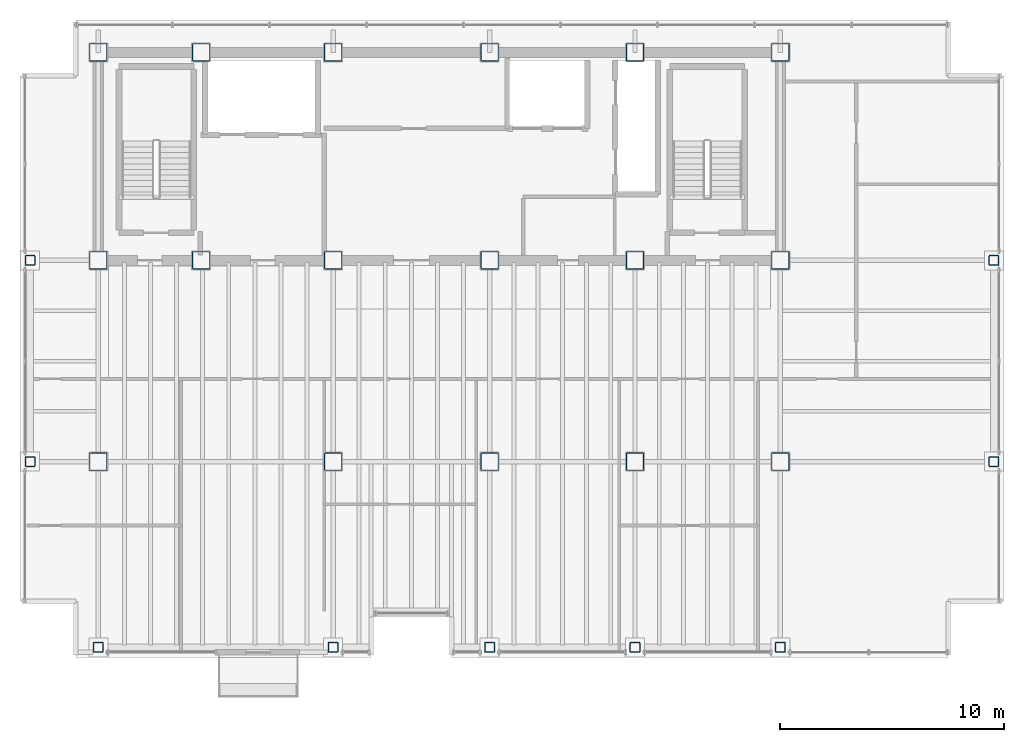
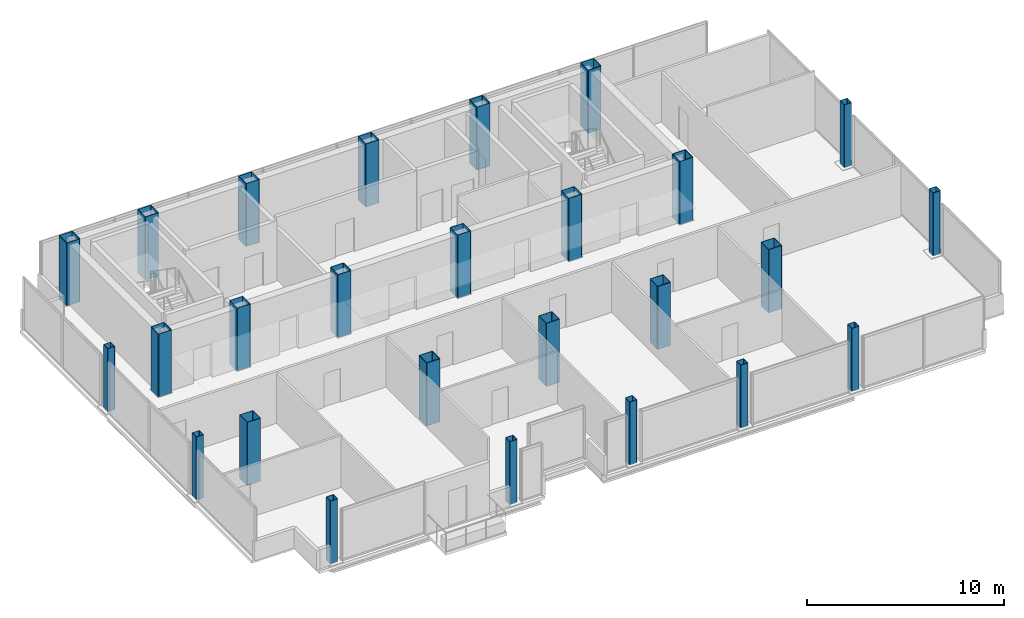
# One storey, part 1 of 15: 26 columns.
"""IFC4 building model written with IfcOpenShell, lengths in metres."""

from ifc_helpers import new_model, si_unit, direction, frame, origin, origin_2d, place, context, subcontext, project, spatial, hollow_rectangle, extrude, material, material_profile, profile_set, type_object, element, save


model = new_model("IFC4")

# Units and contexts
model_context = context("Model", 3, precision=1e-05, world=origin(), true_north=direction((0.0, 1.0)))
body_context = subcontext(model_context, "Body", "Model", "MODEL_VIEW")
ifc_project = project(units=[si_unit("LENGTHUNIT", "METRE"), si_unit("AREAUNIT", "SQUARE_METRE"), si_unit("VOLUMEUNIT", "CUBIC_METRE"), si_unit("PLANEANGLEUNIT", "RADIAN"), si_unit("MASSUNIT", "GRAM", prefix="KILO")], contexts=[model_context])

# Site, building, storey
site_placement = place(None, origin())
site = spatial("IfcSite", under=ifc_project, at=site_placement, CompositionType="ELEMENT")
building_placement = place(site_placement, origin())
building = spatial("IfcBuilding", under=site, at=building_placement, Name="Noeulbin Bourse Tower", CompositionType="ELEMENT")
storey_placement = place(building_placement, frame((0.0, 0.0, 218.89990234375)))
storey = spatial("IfcBuildingStorey", under=building, at=storey_placement, Name="L54", CompositionType="ELEMENT", Elevation=218.89990234375)

# Columns
ifc_material = material(Name="Steel S355", Category="steel")
ifc_material_profile_1 = material_profile(ifc_material, hollow_rectangle(XDim=0.449951171875, YDim=0.449951171875, WallThickness=0.02197265625, InnerFilletRadius=0.02197265625, OuterFilletRadius=0.0439453125, at=origin_2d()), Name="SHS-450x450x22", Category="LoadBearing")
ifc_profile_set_1 = profile_set([ifc_material_profile_1], Name="Steel S355")
column_type_1 = type_object("IfcColumnType", Name="COL-PER-Z3", PredefinedType="COLUMN", material=ifc_profile_set_1)
for number, where, z_axis, x_axis, name in (
    (1, (10.449951171875, 20.0, 0.0), (0.0, 0.0, 1.0), (1.0, 0.0, 0.0), "Tower Perimeter Column COL-PER-Z3 01"),
    (2, (10.449951171875, 29.0, 0.0), (0.0, 0.0, 1.0), (1.0, 0.0, 0.0), "Tower Perimeter Column COL-PER-Z3 02"),
    (3, (13.5, 11.699951171875, 0.0), (0.0, 0.0, 1.0), (1.0, 0.0, 0.0), "Tower Perimeter Column COL-PER-Z3 03"),
    (4, (24.0, 11.699951171875, 0.0), (0.0, 0.0, 1.0), (1.0, 0.0, 0.0), "Tower Perimeter Column COL-PER-Z3 04"),
    (5, (31.0, 11.699951171875, 0.0), (0.0, 0.0, 1.0), (1.0, 0.0, 0.0), "Tower Perimeter Column COL-PER-Z3 05"),
    (6, (37.5, 11.699951171875, 0.0), (0.0, 0.0, 1.0), (1.0, 0.0, 0.0), "Tower Perimeter Column COL-PER-Z3 06"),
    (7, (44.0, 11.699951171875, 0.0), (0.0, 0.0, 1.0), (1.0, 0.0, 0.0), "Tower Perimeter Column COL-PER-Z3 07"),
    (8, (53.550048828125, 20.0, 0.0), (0.0, 0.0, 1.0), (1.0, 0.0, 0.0), "Tower Perimeter Column COL-PER-Z3 08"),
    (9, (53.550048828125, 29.0, 0.0), (0.0, 0.0, 1.0), (1.0, 0.0, 0.0), "Tower Perimeter Column COL-PER-Z3 09"),
):
    element("IfcColumn", number, at=place(storey_placement, frame(where, z_axis=z_axis, x_axis=x_axis)), inside=storey, type_object=column_type_1, Name=name, PredefinedType="COLUMN", context=body_context, shape_type="SweptSolid", body=[
        extrude(hollow_rectangle(XDim=0.449951171875, YDim=0.449951171875, WallThickness=0.02197265625, InnerFilletRadius=0.02197265625, OuterFilletRadius=0.0439453125, at=origin_2d()), origin(), (0.0, 0.0, 1.0), 3.900146484375),
    ])
ifc_material_profile_2 = material_profile(ifc_material, hollow_rectangle(XDim=0.800048828125, YDim=0.800048828125, WallThickness=0.031982421875, InnerFilletRadius=0.01611328125, OuterFilletRadius=0.048095703125, at=origin_2d()), Name="BOX-800x800x32", Category="LoadBearing")
ifc_profile_set_2 = profile_set([ifc_material_profile_2], Name="Steel S355")
column_type_2 = type_object("IfcColumnType", Name="COL-TRK-Z3", PredefinedType="COLUMN", material=ifc_profile_set_2)
for number, where, z_axis, x_axis, name in (
    (10, (13.5, 29.0, 0.0), (0.0, 0.0, 1.0), (1.0, 0.0, 0.0), "Tower Trunk Mega-Column COL-TRK-Z3 01"),
    (11, (13.5, 38.300048828125, 0.0), (0.0, 0.0, 1.0), (1.0, 0.0, 0.0), "Tower Trunk Mega-Column COL-TRK-Z3 02"),
    (12, (18.10009765625, 29.0, 0.0), (0.0, 0.0, 1.0), (1.0, 0.0, 0.0), "Tower Trunk Mega-Column COL-TRK-Z3 03"),
    (13, (18.10009765625, 38.300048828125, 0.0), (0.0, 0.0, 1.0), (1.0, 0.0, 0.0), "Tower Trunk Mega-Column COL-TRK-Z3 04"),
    (14, (24.0, 29.0, 0.0), (0.0, 0.0, 1.0), (1.0, 0.0, 0.0), "Tower Trunk Mega-Column COL-TRK-Z3 05"),
    (15, (24.0, 38.300048828125, 0.0), (0.0, 0.0, 1.0), (1.0, 0.0, 0.0), "Tower Trunk Mega-Column COL-TRK-Z3 06"),
    (16, (31.0, 29.0, 0.0), (0.0, 0.0, 1.0), (1.0, 0.0, 0.0), "Tower Trunk Mega-Column COL-TRK-Z3 07"),
    (17, (31.0, 38.300048828125, 0.0), (0.0, 0.0, 1.0), (1.0, 0.0, 0.0), "Tower Trunk Mega-Column COL-TRK-Z3 08"),
    (18, (37.5, 29.0, 0.0), (0.0, 0.0, 1.0), (1.0, 0.0, 0.0), "Tower Trunk Mega-Column COL-TRK-Z3 09"),
    (19, (37.5, 38.300048828125, 0.0), (0.0, 0.0, 1.0), (1.0, 0.0, 0.0), "Tower Trunk Mega-Column COL-TRK-Z3 10"),
    (20, (44.0, 29.0, 0.0), (0.0, 0.0, 1.0), (1.0, 0.0, 0.0), "Tower Trunk Mega-Column COL-TRK-Z3 11"),
    (21, (44.0, 38.300048828125, 0.0), (0.0, 0.0, 1.0), (1.0, 0.0, 0.0), "Tower Trunk Mega-Column COL-TRK-Z3 12"),
    (22, (13.5, 20.0, 0.0), (0.0, 0.0, 1.0), (1.0, 0.0, 0.0), "Tower Trunk Mega-Column COL-TRK-Z3 13"),
    (23, (24.0, 20.0, 0.0), (0.0, 0.0, 1.0), (1.0, 0.0, 0.0), "Tower Trunk Mega-Column COL-TRK-Z3 14"),
    (24, (31.0, 20.0, 0.0), (0.0, 0.0, 1.0), (1.0, 0.0, 0.0), "Tower Trunk Mega-Column COL-TRK-Z3 15"),
    (25, (37.5, 20.0, 0.0), (0.0, 0.0, 1.0), (1.0, 0.0, 0.0), "Tower Trunk Mega-Column COL-TRK-Z3 16"),
    (26, (44.0, 20.0, 0.0), (0.0, 0.0, 1.0), (1.0, 0.0, 0.0), "Tower Trunk Mega-Column COL-TRK-Z3 17"),
):
    element("IfcColumn", number, at=place(storey_placement, frame(where, z_axis=z_axis, x_axis=x_axis)), inside=storey, type_object=column_type_2, Name=name, PredefinedType="COLUMN", context=body_context, shape_type="SweptSolid", body=[
        extrude(hollow_rectangle(XDim=0.800048828125, YDim=0.800048828125, WallThickness=0.031982421875, InnerFilletRadius=0.01611328125, OuterFilletRadius=0.048095703125, at=origin_2d()), origin(), (0.0, 0.0, 1.0), 3.900146484375),
    ])

save(model, "model.ifc")
